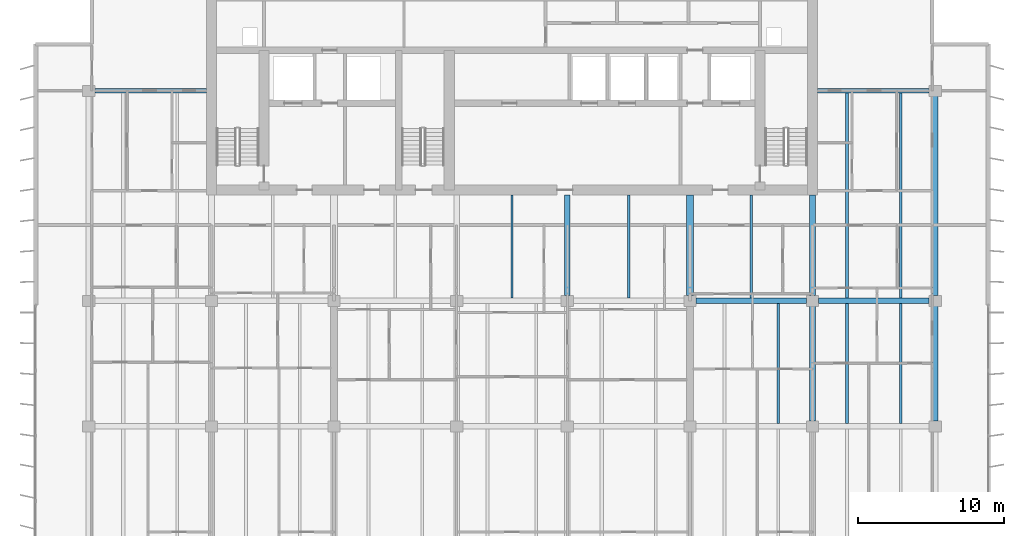
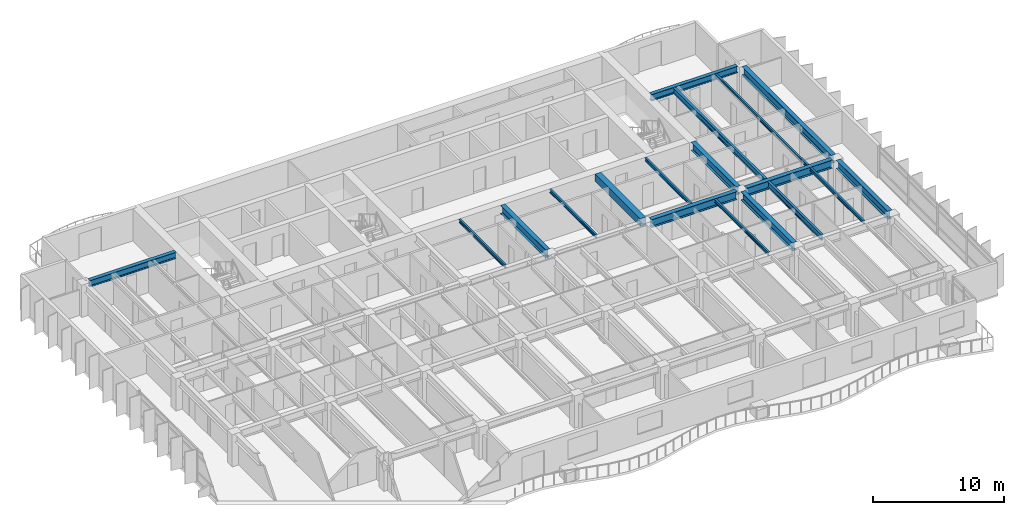
# One storey, part 5 of 18: 18 beams.
"""IFC4 building model written with IfcOpenShell, lengths in metres."""

import ifcopenshell
import ifcopenshell.guid

model = None  # the IFC model being written
_history = None  # IfcOwnerHistory: only IFC2X3 demands one
_inside = {}  # id of a spatial element -> (the spatial element, [elements in it])
_under = {}  # id of a project, library or spatial element -> (it, [spatial elements below it])
_declared = {}  # id of a project -> (the project, [libraries it declares])
_typed = {}  # id of a type object -> (the type object, [elements of that type])
_made_of = {}  # id of a material, layer set ... -> (it, [elements and type objects made of it])


def new_model(schema):
    """Start an empty IFC model of exactly this schema.

    Asked for "IFC4X3", IfcOpenShell would pick the latest addendum, in which some entities
    have other attributes; the version numbers below select the first issue.
    IFC2X3 requires an IfcOwnerHistory on every rooted entity: one is made here for all.
    """
    global model, _history
    if schema == "IFC4X3":
        model = ifcopenshell.file(schema_version=(4, 3, 0, 0))
    else:
        model = ifcopenshell.file(schema=schema)
    _inside.clear()
    _under.clear()
    _declared.clear()
    _typed.clear()
    _made_of.clear()
    _history = None
    if model.schema == "IFC2X3":
        org = make("IfcOrganization", Name="unknown")
        user = make(
            "IfcPersonAndOrganization",
            ThePerson=make("IfcPerson", FamilyName="unknown"),
            TheOrganization=org,
        )
        app = make(
            "IfcApplication",
            ApplicationDeveloper=org,
            Version="unknown",
            ApplicationFullName="unknown",
            ApplicationIdentifier="unknown",
        )
        _history = make(
            "IfcOwnerHistory",
            OwningUser=user,
            OwningApplication=app,
            ChangeAction="ADDED",
            CreationDate=0,
        )
    return model


def make(cls, **values):
    """One entity of the class cls with the attributes given. An attribute that is None is left unset."""
    return model.create_entity(
        cls, **{name: value for name, value in values.items() if value is not None}
    )


def rooted(cls, **values):
    """An entity with a GlobalId (a new one), such as an element, a storey or a relation."""
    return make(cls, GlobalId=ifcopenshell.guid.new(), OwnerHistory=_history, **values)


def si_unit(unit_type, name, prefix=None):
    """IfcSIUnit, for example si_unit("LENGTHUNIT", "METRE", prefix="MILLI")."""
    return make("IfcSIUnit", UnitType=unit_type, Prefix=prefix, Name=name)


def assignment(units):
    """IfcUnitAssignment: the units of a project."""
    return None if units is None else make("IfcUnitAssignment", Units=units)


def point(xyz):
    """IfcCartesianPoint."""
    return None if xyz is None else make("IfcCartesianPoint", Coordinates=xyz)


def direction(xyz):
    """IfcDirection."""
    return None if xyz is None else make("IfcDirection", DirectionRatios=xyz)


def frame(location, z_axis=None, x_axis=None):
    """IfcAxis2Placement3D, a coordinate frame: its origin and axes. An axis left out is left unset."""
    return make(
        "IfcAxis2Placement3D",
        Location=point(location),
        Axis=direction(z_axis),
        RefDirection=direction(x_axis),
    )


def frame_2d(location, x_axis=None):
    """IfcAxis2Placement2D, a coordinate frame in the plane: its origin and x axis."""
    return make(
        "IfcAxis2Placement2D", Location=point(location), RefDirection=direction(x_axis)
    )


def origin():
    """The frame at (0, 0, 0) with its axes left unset."""
    return frame((0.0, 0.0, 0.0))


def origin_2d():
    """The frame at (0, 0) in the plane with its x axis left unset."""
    return frame_2d((0.0, 0.0))


def place(relative_to, where):
    """IfcLocalPlacement: puts the frame where relative to a parent placement (None: the world)."""
    return make(
        "IfcLocalPlacement", PlacementRelTo=relative_to, RelativePlacement=where
    )


def context(
    kind, dimensions, precision=None, world=None, true_north=None, identifier=None
):
    """IfcGeometricRepresentationContext, for example the 3D "Model" context."""
    return make(
        "IfcGeometricRepresentationContext",
        ContextIdentifier=identifier,
        ContextType=kind,
        CoordinateSpaceDimension=dimensions,
        Precision=precision,
        WorldCoordinateSystem=world,
        TrueNorth=true_north,
    )


def subcontext(parent, identifier, kind, view, scale=None):
    """IfcGeometricRepresentationSubContext, for example "Body" below "Model"."""
    return make(
        "IfcGeometricRepresentationSubContext",
        ContextIdentifier=identifier,
        ContextType=kind,
        ParentContext=parent,
        TargetScale=scale,
        TargetView=view,
    )


def project(units=None, contexts=None):
    """IfcProject with its units and contexts."""
    return rooted(
        "IfcProject",
        Name="project",
        RepresentationContexts=contexts,
        UnitsInContext=assignment(units),
    )


def spatial(cls, under=None, at=None, **own):
    """A site, building, storey or space (cls), placed at a placement, below another one or the project."""
    s = rooted(cls, ObjectPlacement=at, **own)
    if under is not None:
        _under.setdefault(under.id(), (under, []))[1].append(s)
    return s


def profile(cls, at=None, kind="AREA", **sizes):
    """A parametric profile (cls). Its sizes go by their IFC names, for example OverallWidth=200.0."""
    return make(cls, ProfileType=kind, Position=at, **sizes)


def rectangle(**sizes):
    """IfcRectangleProfileDef."""
    return profile("IfcRectangleProfileDef", **sizes)


def i_section(**sizes):
    """IfcIShapeProfileDef."""
    return profile("IfcIShapeProfileDef", **sizes)


def extrude(swept, where, along, depth):
    """IfcExtrudedAreaSolid: the profile swept, set in the frame where, extruded along a direction by depth."""
    return make(
        "IfcExtrudedAreaSolid",
        SweptArea=swept,
        Position=where,
        ExtrudedDirection=direction(along),
        Depth=depth,
    )


def shape(context_of_items, identifier, shape_type, items):
    """IfcShapeRepresentation: the items that make up one representation, for example the "Body"."""
    return make(
        "IfcShapeRepresentation",
        ContextOfItems=context_of_items,
        RepresentationIdentifier=identifier,
        RepresentationType=shape_type,
        Items=items,
    )


def material(Name=None, Category=None):
    """IfcMaterial."""
    return make("IfcMaterial", Name=Name, Category=Category)


def material_profile(
    of_material, cross_section, Name=None, Category=None, Priority=None
):
    """IfcMaterialProfile: a cross section and its material."""
    return make(
        "IfcMaterialProfile",
        Name=Name,
        Material=of_material,
        Profile=cross_section,
        Priority=Priority,
        Category=Category,
    )


def profile_set(profiles, Name=None, composite=None):
    """IfcMaterialProfileSet."""
    return make(
        "IfcMaterialProfileSet",
        Name=Name,
        MaterialProfiles=profiles,
        CompositeProfile=composite,
    )


def made_of(thing, what):
    """Note that an element or type object is made of a material, layer set ...; save() writes the relation."""
    if what is not None:
        _made_of.setdefault(what.id(), (what, []))[1].append(thing)
    return thing


def type_object(cls, material=None, **own):
    """A type object (cls), such as IfcWallType, which elements share."""
    return made_of(rooted(cls, **own), material)


def element(
    cls,
    number,
    at=None,
    inside=None,
    cuts=None,
    type_object=None,
    material=None,
    context=None,
    identifier="Body",
    shape_type=None,
    held_by="IfcProductDefinitionShape",
    body=None,
    shapes=None,
    **own,
):
    """One element of the class cls, such as IfcWall. Its Tag is "e" and its number.

    at: its placement. inside: the storey or other place that contains it. cuts: it is an
    opening in that element (IfcRelVoidsElement). A single representation is given by context,
    identifier, shape_type and body (its items); several are given by shapes. held_by: the class
    of the entity that holds the representations. save() writes the other relations.
    """
    e = rooted(cls, Tag="e%d" % number, ObjectPlacement=at, **own)
    if body is not None:
        shapes = [shape(context, identifier, shape_type, body)]
    if shapes is not None:
        e.Representation = make(held_by, Representations=shapes)
    if inside is not None:
        _inside.setdefault(inside.id(), (inside, []))[1].append(e)
    if cuts is not None:
        rooted(
            "IfcRelVoidsElement", RelatingBuildingElement=cuts, RelatedOpeningElement=e
        )
    if type_object is not None:
        _typed.setdefault(type_object.id(), (type_object, []))[1].append(e)
    return made_of(e, material)


def aggregate(whole, parts):
    """IfcRelAggregates: a whole, such as a stair, and the parts it consists of."""
    return rooted("IfcRelAggregates", RelatingObject=whole, RelatedObjects=parts)


def save(model, path):
    """Write the relations noted so far, then the file.

    IfcRelAggregates (storeys below a building ...), IfcRelContainedInSpatialStructure (elements
    in a storey), IfcRelDefinesByType, IfcRelAssociatesMaterial and IfcRelDeclares: one each for
    every whole, place, type object, material and project.
    """
    for whole, parts in _under.values():
        aggregate(whole, parts)
    for where, things in _inside.values():
        rooted(
            "IfcRelContainedInSpatialStructure",
            RelatedElements=things,
            RelatingStructure=where,
        )
    for kind, things in _typed.values():
        rooted("IfcRelDefinesByType", RelatedObjects=things, RelatingType=kind)
    for what, things in _made_of.values():
        rooted("IfcRelAssociatesMaterial", RelatedObjects=things, RelatingMaterial=what)
    for by, libraries in _declared.values():
        rooted("IfcRelDeclares", RelatingContext=by, RelatedDefinitions=libraries)
    model.write(path)


model = new_model("IFC4")

# Units and contexts
model_context = context("Model", 3, precision=1e-05, world=origin(), true_north=direction((0.0, 1.0)))
body_context = subcontext(model_context, "Body", "Model", "MODEL_VIEW")
ifc_project = project(units=[si_unit("LENGTHUNIT", "METRE"), si_unit("AREAUNIT", "SQUARE_METRE"), si_unit("VOLUMEUNIT", "CUBIC_METRE"), si_unit("PLANEANGLEUNIT", "RADIAN"), si_unit("MASSUNIT", "GRAM", prefix="KILO")], contexts=[model_context])

# Site, building, storey
site_placement = place(None, origin())
site = spatial("IfcSite", under=ifc_project, at=site_placement, CompositionType="ELEMENT")
building_placement = place(site_placement, origin())
building = spatial("IfcBuilding", under=site, at=building_placement, Name="Caelmar Bay Residences", CompositionType="ELEMENT")
storey_placement = place(building_placement, frame((0.0, 0.0, 180.300048828125)))
storey = spatial("IfcBuildingStorey", under=building, at=storey_placement, Name="L50", CompositionType="ELEMENT", Elevation=180.300048828125)

# Beams
ifc_material_1 = material(Name="Steel ASTM A992 Grade 50", Category="steel")
ifc_material_profile_1 = material_profile(ifc_material_1, i_section(OverallWidth=0.381103515625, OverallDepth=0.77197265625, WebThickness=0.0166015625, FlangeThickness=0.027099609375, FilletRadius=0.0166015625, at=origin_2d()), Name="W30X173")
ifc_profile_set_1 = profile_set([ifc_material_profile_1], Name="Steel ASTM A992 Grade 50")
beam_type_1 = type_object("IfcBeamType", Name="BM-GRD-W30X173", PredefinedType="BEAM", material=ifc_profile_set_1)
for number, where, z_axis, x_axis, name in (
    (1, (51.514892578125, 29.39990234375, 2.614013671875), (1.0, 0.0, 0.0), (0.0, 1.0, 0.0), "L50 East-West Girder Y=29.40 (51.1-59.5)"),
    (2, (59.9150390625, 29.39990234375, 2.614013671875), (1.0, 0.0, 0.0), (0.0, 1.0, 0.0), "L50 East-West Girder Y=29.40 (59.5-67.9)"),
):
    element("IfcBeam", number, at=place(storey_placement, frame(where, z_axis=z_axis, x_axis=x_axis)), inside=storey, type_object=beam_type_1, Name=name, PredefinedType="BEAM", context=body_context, shape_type="SweptSolid", body=[
        extrude(i_section(OverallWidth=0.381103515625, OverallDepth=0.77197265625, WebThickness=0.0166015625, FlangeThickness=0.027099609375, FilletRadius=0.0166015625, at=origin_2d()), origin(), (0.0, 0.0, 1.0), 7.570068359375),
    ])
for number, where, z_axis, x_axis, name in (
    (3, (42.699951171875, 29.764892578125, 2.614013671875), (0.0, 1.0, 0.0), (-1.0, 0.0, 0.0), "L50 Core Tie Girder X=42.70"),
    (4, (59.5, 29.764892578125, 2.614013671875), (0.0, 1.0, 0.0), (-1.0, 0.0, 0.0), "L50 Core Tie Girder X=59.50"),
):
    element("IfcBeam", number, at=place(storey_placement, frame(where, z_axis=z_axis, x_axis=x_axis)), inside=storey, type_object=beam_type_1, Name=name, PredefinedType="BEAM", context=body_context, shape_type="SweptSolid", body=[
        extrude(i_section(OverallWidth=0.381103515625, OverallDepth=0.77197265625, WebThickness=0.0166015625, FlangeThickness=0.027099609375, FilletRadius=0.0166015625, at=origin_2d()), origin(), (0.0, 0.0, 1.0), 6.885009765625),
    ])
for number, where, z_axis, x_axis, name in (
    (5, (59.5, 21.1650390625, 2.614013671875), (0.0, 1.0, 0.0), (-1.0, 0.0, 0.0), "L50 North-South Girder X=59.50 (20.8-29.4)"),
    (6, (67.89990234375, 21.1650390625, 2.614013671875), (0.0, 1.0, 0.0), (-1.0, 0.0, 0.0), "L50 North-South Girder X=67.90 (20.8-29.4)"),
):
    element("IfcBeam", number, at=place(storey_placement, frame(where, z_axis=z_axis, x_axis=x_axis)), inside=storey, type_object=beam_type_1, Name=name, PredefinedType="BEAM", context=body_context, shape_type="SweptSolid", body=[
        extrude(i_section(OverallWidth=0.381103515625, OverallDepth=0.77197265625, WebThickness=0.0166015625, FlangeThickness=0.027099609375, FilletRadius=0.0166015625, at=origin_2d()), origin(), (0.0, 0.0, 1.0), 7.869873046875),
    ])
beam_1_placement = place(storey_placement, frame((67.89990234375, 29.764892578125, 2.614013671875), z_axis=(0.0, 1.0, 0.0), x_axis=(-1.0, 0.0, 0.0)))
element("IfcBeam", 7, at=beam_1_placement, inside=storey, type_object=beam_type_1, Name="L50 North-South Girder X=67.90 (29.4-43.8)", PredefinedType="BEAM", context=body_context, shape_type="SweptSolid", body=[
    extrude(i_section(OverallWidth=0.381103515625, OverallDepth=0.77197265625, WebThickness=0.0166015625, FlangeThickness=0.027099609375, FilletRadius=0.0166015625, at=origin_2d()), origin(), (0.0, 0.0, 1.0), 13.670166015625),
])
ifc_material_profile_2 = material_profile(ifc_material_1, i_section(OverallWidth=0.1650390625, OverallDepth=0.31005859375, WebThickness=0.005859375, FlangeThickness=0.009765625, FilletRadius=0.007568359375, at=origin_2d()), Name="W12X26")
ifc_profile_set_2 = profile_set([ifc_material_profile_2], Name="Steel ASTM A992 Grade 50")
beam_type_2 = type_object("IfcBeamType", Name="BM-JST-W12X26", PredefinedType="JOIST", material=ifc_profile_set_2)
for number, where, z_axis, x_axis, name in (
    (8, (57.14794921875, 20.990478515625, 2.844970703125), (0.0, 1.0, 0.0), (-1.0, 0.0, 0.0), "L50 Composite Floor Joist 26"),
    (9, (65.548095703125, 20.990478515625, 2.844970703125), (0.0, 1.0, 0.0), (-1.0, 0.0, 0.0), "L50 Composite Floor Joist 28"),
):
    element("IfcBeam", number, at=place(storey_placement, frame(where, z_axis=z_axis, x_axis=x_axis)), inside=storey, type_object=beam_type_2, Name=name, PredefinedType="JOIST", context=body_context, shape_type="SweptSolid", body=[
        extrude(i_section(OverallWidth=0.1650390625, OverallDepth=0.31005859375, WebThickness=0.005859375, FlangeThickness=0.009765625, FilletRadius=0.007568359375, at=origin_2d()), origin(), (0.0, 0.0, 1.0), 8.218994140625),
    ])
for number, where, z_axis, x_axis, name in (
    (10, (38.89990234375, 29.590576171875, 2.844970703125), (0.0, 1.0, 0.0), (-1.0, 0.0, 0.0), "L50 Core-Band Composite Joist 31"),
    (11, (46.89990234375, 29.590576171875, 2.844970703125), (0.0, 1.0, 0.0), (-1.0, 0.0, 0.0), "L50 Core-Band Composite Joist 32"),
    (12, (55.300048828125, 29.590576171875, 2.844970703125), (0.0, 1.0, 0.0), (-1.0, 0.0, 0.0), "L50 Core-Band Composite Joist 33"),
):
    element("IfcBeam", number, at=place(storey_placement, frame(where, z_axis=z_axis, x_axis=x_axis)), inside=storey, type_object=beam_type_2, Name=name, PredefinedType="JOIST", context=body_context, shape_type="SweptSolid", body=[
        extrude(i_section(OverallWidth=0.1650390625, OverallDepth=0.31005859375, WebThickness=0.005859375, FlangeThickness=0.009765625, FilletRadius=0.007568359375, at=origin_2d()), origin(), (0.0, 0.0, 1.0), 7.059326171875),
    ])
beam_2_placement = place(storey_placement, frame((65.548095703125, 29.590576171875, 2.844970703125), z_axis=(0.0, 1.0, 0.0), x_axis=(-1.0, 0.0, 0.0)))
element("IfcBeam", 13, at=beam_2_placement, inside=storey, type_object=beam_type_2, Name="L50 Composite Floor Joist 37", PredefinedType="JOIST", context=body_context, shape_type="SweptSolid", body=[
    extrude(i_section(OverallWidth=0.1650390625, OverallDepth=0.31005859375, WebThickness=0.005859375, FlangeThickness=0.009765625, FilletRadius=0.007568359375, at=origin_2d()), origin(), (0.0, 0.0, 1.0), 14.046875),
])
ifc_material_profile_3 = material_profile(ifc_material_1, i_section(OverallWidth=0.2099609375, OverallDepth=0.535888671875, WebThickness=0.010986328125, FlangeThickness=0.017333984375, FilletRadius=0.0126953125, at=origin_2d()), Name="W21X68")
ifc_profile_set_3 = profile_set([ifc_material_profile_3], Name="Steel ASTM A992 Grade 50")
beam_type_3 = type_object("IfcBeamType", Name="BM-JST-W21X68", PredefinedType="JOIST", material=ifc_profile_set_3)
beam_3_placement = place(storey_placement, frame((61.85205078125, 20.990478515625, 2.73193359375), z_axis=(0.0, 1.0, 0.0), x_axis=(-1.0, 0.0, 0.0)))
element("IfcBeam", 14, at=beam_3_placement, inside=storey, type_object=beam_type_3, Name="L50 Composite Floor Joist 27", PredefinedType="JOIST", context=body_context, shape_type="SweptSolid", body=[
    extrude(i_section(OverallWidth=0.2099609375, OverallDepth=0.535888671875, WebThickness=0.010986328125, FlangeThickness=0.017333984375, FilletRadius=0.0126953125, at=origin_2d()), origin(), (0.0, 0.0, 1.0), 8.218994140625),
])
beam_4_placement = place(storey_placement, frame((61.85205078125, 29.590576171875, 2.73193359375), z_axis=(0.0, 1.0, 0.0), x_axis=(-1.0, 0.0, 0.0)))
element("IfcBeam", 15, at=beam_4_placement, inside=storey, type_object=beam_type_3, Name="L50 Composite Floor Joist 36", PredefinedType="JOIST", context=body_context, shape_type="SweptSolid", body=[
    extrude(i_section(OverallWidth=0.2099609375, OverallDepth=0.535888671875, WebThickness=0.010986328125, FlangeThickness=0.017333984375, FilletRadius=0.0126953125, at=origin_2d()), origin(), (0.0, 0.0, 1.0), 14.046875),
])
ifc_material_2 = material(Name="Concrete f'c 55 MPa (8,000 psi)", Category="concrete")
ifc_material_profile_4 = material_profile(ifc_material_2, rectangle(XDim=0.5, YDim=0.699951171875, at=origin_2d()), Name="RC-BM-500X700")
ifc_profile_set_4 = profile_set([ifc_material_profile_4], Name="Concrete f'c 55 MPa (8,000 psi)")
beam_type_4 = type_object("IfcBeamType", Name="BM-RC-500X700", PredefinedType="LINTEL", material=ifc_profile_set_4)
beam_5_placement = place(storey_placement, frame((51.10009765625, 29.764892578125, 2.64990234375), z_axis=(0.0, 1.0, 0.0), x_axis=(-1.0, 0.0, 0.0)))
element("IfcBeam", 16, at=beam_5_placement, inside=storey, type_object=beam_type_4, Name="L50 Shear-Wall Corridor Coupling Lintel E8", PredefinedType="LINTEL", context=body_context, shape_type="SweptSolid", body=[
    extrude(rectangle(XDim=0.5, YDim=0.699951171875, at=origin_2d()), origin(), (0.0, 0.0, 1.0), 6.885009765625),
])
ifc_material_profile_5 = material_profile(ifc_material_1, i_section(OverallWidth=0.324951171875, OverallDepth=0.616943359375, WebThickness=0.013916015625, FlangeThickness=0.021484375, FilletRadius=0.0126953125, at=origin_2d()), Name="W24X117")
ifc_profile_set_5 = profile_set([ifc_material_profile_5], Name="Steel ASTM A992 Grade 50")
beam_type_5 = type_object("IfcBeamType", Name="BM-SPN-W24X117", PredefinedType="SPANDREL", material=ifc_profile_set_5)
for number, where, z_axis, x_axis, name in (
    (17, (10.31494140625, 43.800048828125, 2.69140625), (1.0, 0.0, 0.0), (0.0, 1.0, 0.0), "L50 North-West Wing Core Tie Girder"),
    (18, (59.85009765625, 43.800048828125, 2.69140625), (1.0, 0.0, 0.0), (0.0, 1.0, 0.0), "L50 North-East Wing Core Tie Girder"),
):
    element("IfcBeam", number, at=place(storey_placement, frame(where, z_axis=z_axis, x_axis=x_axis)), inside=storey, type_object=beam_type_5, Name=name, PredefinedType="SPANDREL", context=body_context, shape_type="SweptSolid", body=[
        extrude(i_section(OverallWidth=0.324951171875, OverallDepth=0.616943359375, WebThickness=0.013916015625, FlangeThickness=0.021484375, FilletRadius=0.0126953125, at=origin_2d()), origin(), (0.0, 0.0, 1.0), 7.635009765625),
    ])

save(model, "model.ifc")
